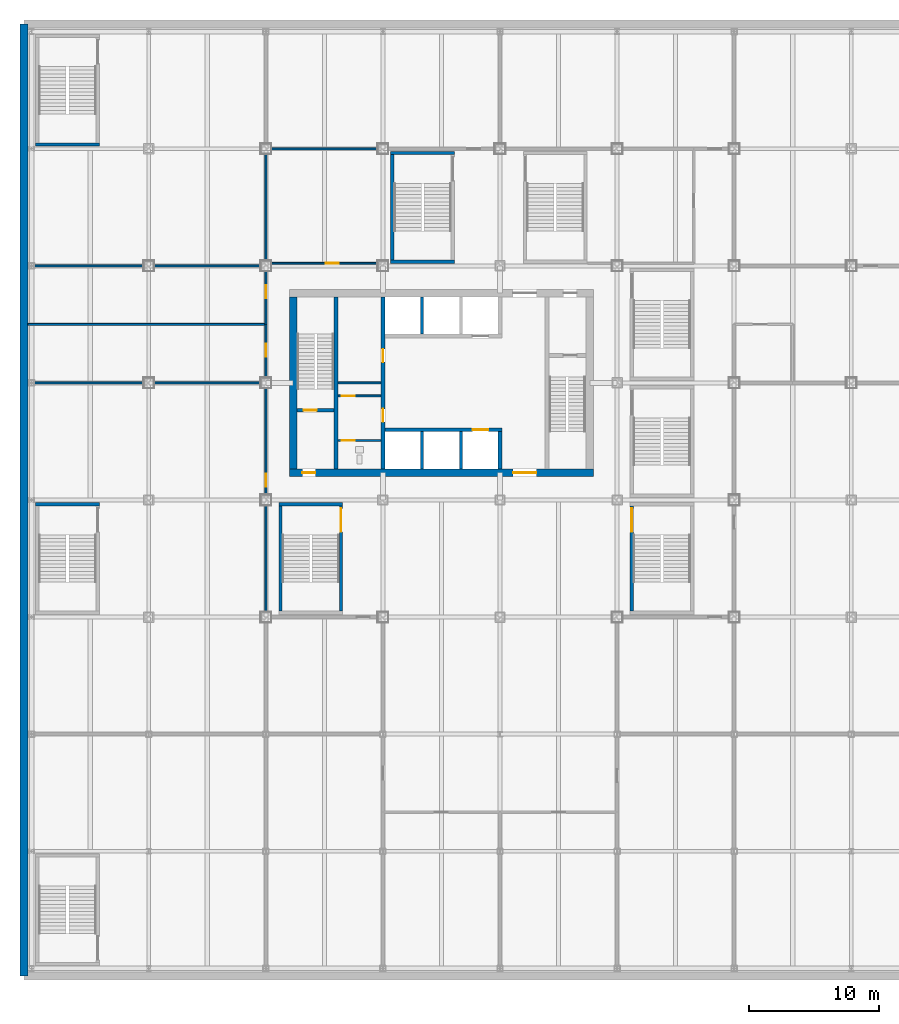
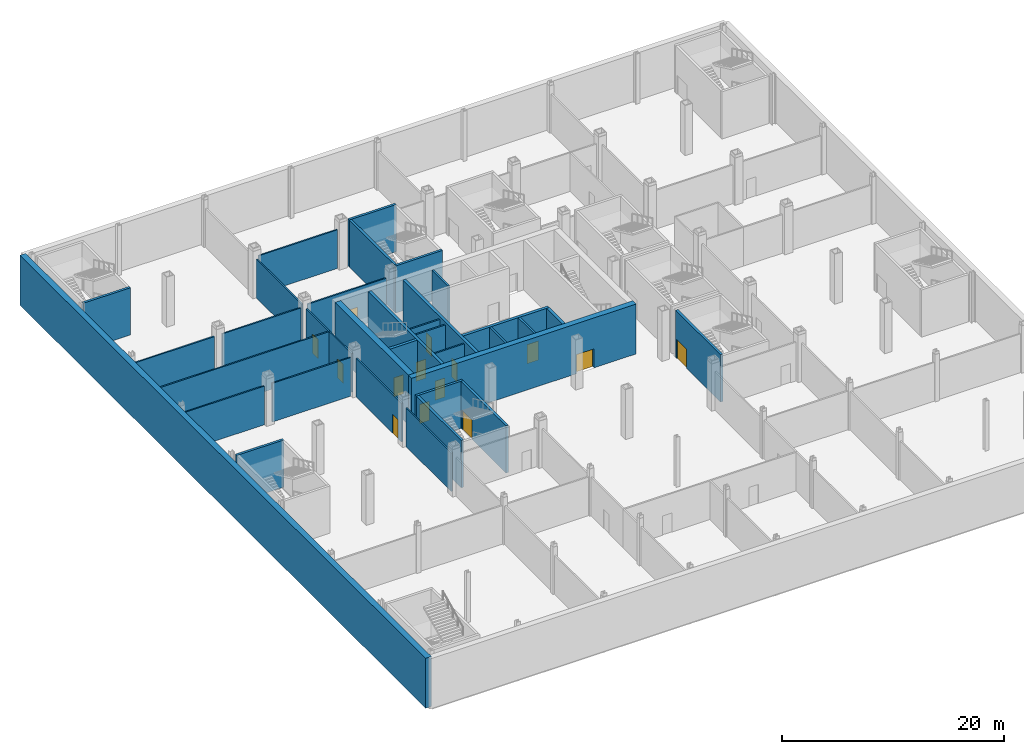
# One storey, part 9 of 27: 35 walls, 14 doors, 14 openings.
"""IFC4 building model written with IfcOpenShell, lengths in metres."""

from ifc_helpers import new_model, si_unit, direction, frame, frame_2d, origin, place, context, subcontext, project, spatial, rectangle, extrude, material, layer, layer_set, type_object, element, fill, save


model = new_model("IFC4")

# Units and contexts
model_context = context("Model", 3, precision=1e-05, world=origin(), true_north=direction((0.0, 1.0)))
body_context = subcontext(model_context, "Body", "Model", "MODEL_VIEW")
ifc_project = project(units=[si_unit("LENGTHUNIT", "METRE"), si_unit("AREAUNIT", "SQUARE_METRE"), si_unit("VOLUMEUNIT", "CUBIC_METRE"), si_unit("PLANEANGLEUNIT", "RADIAN"), si_unit("MASSUNIT", "GRAM", prefix="KILO")], contexts=[model_context])

# Site, building, storey
site_placement = place(None, origin())
site = spatial("IfcSite", under=ifc_project, at=site_placement, CompositionType="ELEMENT")
building_placement = place(site_placement, origin())
building = spatial("IfcBuilding", under=site, at=building_placement, Name="Loomwork Tower", CompositionType="ELEMENT")
storey_placement = place(building_placement, frame((0.0, 0.0, -5.5)))
storey = spatial("IfcBuildingStorey", under=building, at=storey_placement, Name="B1", CompositionType="ELEMENT", Elevation=-5.5)

# Walls
ifc_material_1 = material(Name="Concrete 6000 psi (41 MPa)", Category="concrete")
ifc_layer_1 = layer(ifc_material_1, 0.60009765625)
ifc_layer_set_1 = layer_set([ifc_layer_1], Name="Basement retaining wall 600")
wall_type_1 = type_object("IfcWallType", Name="Basement retaining wall 600", PredefinedType="SOLIDWALL", material=ifc_layer_set_1)
wall_1_placement = place(storey_placement, frame((-9.60009765625, 45.60009765625, -0.300048828125), z_axis=(0.0, 0.0, 1.0), x_axis=(0.0, -1.0, 0.0)))
element("IfcWall", 1, at=wall_1_placement, inside=storey, type_object=wall_type_1, Name="Basement retaining wall W", PredefinedType="SOLIDWALL", context=body_context, shape_type="SweptSolid", body=[
    extrude(rectangle(XDim=73.2001953125, YDim=0.60009765625, at=frame_2d((36.60009765625, 0.0))), origin(), (0.0, 0.0, 1.0), 5.5),
])
ifc_material_2 = material(Name="Concrete 14000 psi (97 MPa)", Category="concrete")
ifc_layer_2 = layer(ifc_material_2, 0.300048828125)
ifc_layer_set_2 = layer_set([ifc_layer_2], Name="Core shear wall 300")
wall_type_2 = type_object("IfcWallType", Name="Core shear wall 300", PredefinedType="SHEAR", material=ifc_layer_set_2)
wall_2_placement = place(storey_placement, frame((14.39990234375, 11.39990234375, 0.0), z_axis=(0.0, 0.0, 1.0), x_axis=(0.0, 1.0, 0.0)))
element("IfcWall", 2, at=wall_2_placement, inside=storey, type_object=wall_type_2, Name="Stair A east wall B1", PredefinedType="SHEAR", context=body_context, shape_type="SweptSolid", body=[
    extrude(rectangle(XDim=13.2001953125, YDim=0.300048828125, at=frame_2d((6.60009765625, 0.0))), origin(), (0.0, 0.0, 1.0), 5.5),
])

# Wall, opening, door
wall_3_placement = place(storey_placement, frame((11.39990234375, 15.89990234375, 0.0), z_axis=(0.0, 0.0, 1.0), x_axis=(1.0, 0.0, 0.0)))
wall_3 = element("IfcWall", 3, at=wall_3_placement, inside=storey, type_object=wall_type_2, Name="Stair A south wall B1", PredefinedType="SHEAR", context=body_context, shape_type="SweptSolid", body=[
    extrude(rectangle(XDim=2.85009765625, YDim=0.300048828125, at=frame_2d((1.425048828125, 0.0))), origin(), (0.0, 0.0, 1.0), 5.5),
])
opening_1_placement = place(wall_3_placement, frame((0.5, 0.0, 0.0)))
opening_1 = element("IfcOpeningElement", 4, at=opening_1_placement, cuts=wall_3, Name="Opening D4", PredefinedType="OPENING", context=body_context, shape_type="SweptSolid", body=[
    extrude(rectangle(XDim=1.0, YDim=2.10009765625, at=frame_2d((0.5, 1.050048828125))), frame((0.0, 0.159912109375, 0.0), z_axis=(0.0, -1.0, 0.0), x_axis=(1.0, 0.0, 0.0)), (0.0, 0.0, 1.0), 0.320068359375),
])
ifc_material_3 = material(Name="Hollow metal door and frame")
door_type_1 = type_object("IfcDoorType", Name="Stair door 1000", OperationType="SINGLE_SWING_RIGHT", PredefinedType="DOOR", material=ifc_material_3)
door_1_placement = place(opening_1_placement, origin())
door_1 = element("IfcDoor", 5, at=door_1_placement, inside=storey, type_object=door_type_1, Name="Stair A door", OperationType="SINGLE_SWING_LEFT", OverallHeight=2.10009765625, OverallWidth=1.0, PredefinedType="DOOR", context=body_context, shape_type="SweptSolid", body=[
    extrude(rectangle(XDim=1.0, YDim=2.10009765625, at=frame_2d((0.5, 1.050048828125))), frame((0.0, 0.02490234375, 0.0), z_axis=(0.0, -1.0, 0.0), x_axis=(1.0, 0.0, 0.0)), (0.0, 0.0, 1.0), 0.050048828125),
])
fill(opening_1, door_1)

# Wall, openings, doors
wall_4_placement = place(storey_placement, frame((18.0, 11.39990234375, 0.0), z_axis=(0.0, 0.0, 1.0), x_axis=(0.0, 1.0, 0.0)))
wall_4 = element("IfcWall", 6, at=wall_4_placement, inside=storey, type_object=wall_type_2, Name="Lobby west wall B1", PredefinedType="SHEAR", context=body_context, shape_type="SweptSolid", body=[
    extrude(rectangle(XDim=13.2001953125, YDim=0.300048828125, at=frame_2d((6.60009765625, 0.0))), origin(), (0.0, 0.0, 1.0), 5.5),
])
opening_2_placement = place(wall_4_placement, frame((3.60009765625, 0.0, 0.0)))
opening_2 = element("IfcOpeningElement", 7, at=opening_2_placement, cuts=wall_4, Name="Opening D5", PredefinedType="OPENING", context=body_context, shape_type="SweptSolid", body=[
    extrude(rectangle(XDim=1.0, YDim=2.10009765625, at=frame_2d((0.5, 1.050048828125))), frame((0.0, 0.159912109375, 0.0), z_axis=(0.0, -1.0, 0.0), x_axis=(1.0, 0.0, 0.0)), (0.0, 0.0, 1.0), 0.320068359375),
])
opening_3_placement = place(wall_4_placement, frame((8.199951171875, 0.0, 0.0)))
opening_3 = element("IfcOpeningElement", 8, at=opening_3_placement, cuts=wall_4, Name="Opening D5", PredefinedType="OPENING", context=body_context, shape_type="SweptSolid", body=[
    extrude(rectangle(XDim=1.0, YDim=2.10009765625, at=frame_2d((0.5, 1.050048828125))), frame((0.0, 0.159912109375, 0.0), z_axis=(0.0, -1.0, 0.0), x_axis=(1.0, 0.0, 0.0)), (0.0, 0.0, 1.0), 0.320068359375),
])
ifc_material_4 = material(Name="Hollow metal door and frame")
door_type_2 = type_object("IfcDoorType", Name="Service door 1000", OperationType="SINGLE_SWING_LEFT", PredefinedType="DOOR", material=ifc_material_4)
door_2_placement = place(opening_2_placement, origin())
door_2 = element("IfcDoor", 9, at=door_2_placement, inside=storey, type_object=door_type_2, Name="Back-of-house door south", OperationType="SINGLE_SWING_LEFT", OverallHeight=2.10009765625, OverallWidth=1.0, PredefinedType="DOOR", context=body_context, shape_type="SweptSolid", body=[
    extrude(rectangle(XDim=1.0, YDim=2.10009765625, at=frame_2d((0.5, 1.050048828125))), frame((0.0, 0.02490234375, 0.0), z_axis=(0.0, -1.0, 0.0), x_axis=(1.0, 0.0, 0.0)), (0.0, 0.0, 1.0), 0.050048828125),
])
fill(opening_2, door_2)
door_3_placement = place(opening_3_placement, origin())
door_3 = element("IfcDoor", 10, at=door_3_placement, inside=storey, type_object=door_type_2, Name="Back-of-house door north", OperationType="SINGLE_SWING_RIGHT", OverallHeight=2.10009765625, OverallWidth=1.0, PredefinedType="DOOR", context=body_context, shape_type="SweptSolid", body=[
    extrude(rectangle(XDim=1.0, YDim=2.10009765625, at=frame_2d((0.5, 1.050048828125))), frame((0.0, 0.02490234375, 0.0), z_axis=(0.0, -1.0, 0.0), x_axis=(1.0, 0.0, 0.0)), (0.0, 0.0, 1.0), 0.050048828125),
])
fill(opening_3, door_3)

# Wall, opening, door
wall_5_placement = place(storey_placement, frame((18.14990234375, 14.39990234375, 0.0), z_axis=(0.0, 0.0, 1.0), x_axis=(1.0, 0.0, 0.0)))
wall_5 = element("IfcWall", 11, at=wall_5_placement, inside=storey, type_object=wall_type_2, Name="Lift front wall south B1", PredefinedType="SHEAR", context=body_context, shape_type="SweptSolid", body=[
    extrude(rectangle(XDim=9.0, YDim=0.300048828125, at=frame_2d((4.5, 0.0))), origin(), (0.0, 0.0, 1.0), 5.5),
])
opening_4_placement = place(wall_5_placement, frame((6.75, 0.0, 0.0)))
opening_4 = element("IfcOpeningElement", 12, at=opening_4_placement, cuts=wall_5, Name="Opening LD2", PredefinedType="OPENING", context=body_context, shape_type="SweptSolid", body=[
    extrude(rectangle(XDim=1.199951171875, YDim=2.10009765625, at=frame_2d((0.60009765625, 1.050048828125))), frame((0.0, 0.159912109375, 0.0), z_axis=(0.0, -1.0, 0.0), x_axis=(1.0, 0.0, 0.0)), (0.0, 0.0, 1.0), 0.320068359375),
])
ifc_material_5 = material(Name="Hollow metal door and frame")
door_type_3 = type_object("IfcDoorType", Name="Lift landing door 1200", OperationType="SLIDING_TO_LEFT", PredefinedType="DOOR", material=ifc_material_5)
door_4_placement = place(opening_4_placement, origin())
door_4 = element("IfcDoor", 13, at=door_4_placement, inside=storey, type_object=door_type_3, Name="Lift landing door LF1", OperationType="SLIDING_TO_LEFT", OverallHeight=2.10009765625, OverallWidth=1.199951171875, PredefinedType="DOOR", context=body_context, shape_type="SweptSolid", body=[
    extrude(rectangle(XDim=1.199951171875, YDim=2.10009765625, at=frame_2d((0.60009765625, 1.050048828125))), frame((0.0, 0.02490234375, 0.0), z_axis=(0.0, -1.0, 0.0), x_axis=(1.0, 0.0, 0.0)), (0.0, 0.0, 1.0), 0.050048828125),
])
fill(opening_4, door_4)

# Wall
wall_6_placement = place(storey_placement, frame((27.0, 11.39990234375, 0.0), z_axis=(0.0, 0.0, 1.0), x_axis=(0.0, 1.0, 0.0)))
element("IfcWall", 14, at=wall_6_placement, inside=storey, type_object=wall_type_2, Name="Lift shaft end wall south B1", PredefinedType="SHEAR", context=body_context, shape_type="SweptSolid", body=[
    extrude(rectangle(XDim=2.85009765625, YDim=0.300048828125, at=frame_2d((1.425048828125, 0.0))), origin(), (0.0, 0.0, 1.0), 5.5),
])

# Wall, openings, doors
ifc_material_6 = material(Name="Concrete 14000 psi (97 MPa)", Category="concrete")
ifc_layer_3 = layer(ifc_material_6, 0.60009765625)
ifc_layer_set_3 = layer_set([ifc_layer_3], Name="Core shear wall 600")
wall_type_3 = type_object("IfcWallType", Name="Core shear wall 600", PredefinedType="SHEAR", material=ifc_layer_set_3)
wall_7_placement = place(storey_placement, frame((10.800048828125, 11.10009765625, 0.0), z_axis=(0.0, 0.0, 1.0), x_axis=(1.0, 0.0, 0.0)))
wall_7 = element("IfcWall", 15, at=wall_7_placement, inside=storey, type_object=wall_type_3, Name="Core wall south B1", PredefinedType="SHEAR", context=body_context, shape_type="SweptSolid", body=[
    extrude(rectangle(XDim=23.39990234375, YDim=0.60009765625, at=frame_2d((11.699951171875, 0.0))), origin(), (0.0, 0.0, 1.0), 5.5),
])
opening_5_placement = place(wall_7_placement, frame((1.0, 0.0, 0.0)))
opening_5 = element("IfcOpeningElement", 16, at=opening_5_placement, cuts=wall_7, Name="Opening D4", PredefinedType="OPENING", context=body_context, shape_type="SweptSolid", body=[
    extrude(rectangle(XDim=1.0, YDim=2.10009765625, at=frame_2d((0.5, 1.050048828125))), frame((0.0, 0.31005859375, 0.0), z_axis=(0.0, -1.0, 0.0), x_axis=(1.0, 0.0, 0.0)), (0.0, 0.0, 1.0), 0.6201171875),
])
opening_6_placement = place(wall_7_placement, frame((17.199951171875, 0.0, 0.0)))
opening_6 = element("IfcOpeningElement", 17, at=opening_6_placement, cuts=wall_7, Name="Opening D6", PredefinedType="OPENING", context=body_context, shape_type="SweptSolid", body=[
    extrude(rectangle(XDim=1.800048828125, YDim=2.10009765625, at=frame_2d((0.89990234375, 1.050048828125))), frame((0.0, 0.31005859375, 0.0), z_axis=(0.0, -1.0, 0.0), x_axis=(1.0, 0.0, 0.0)), (0.0, 0.0, 1.0), 0.6201171875),
])
ifc_material_7 = material(Name="Hollow metal door and frame")
door_type_4 = type_object("IfcDoorType", Name="Lobby passage double door 1800", OperationType="DOUBLE_DOOR_SINGLE_SWING", PredefinedType="DOOR", material=ifc_material_7)
door_5_placement = place(opening_6_placement, origin())
door_5 = element("IfcDoor", 18, at=door_5_placement, inside=storey, type_object=door_type_4, Name="Lobby passage door south", OperationType="DOUBLE_DOOR_SINGLE_SWING", OverallHeight=2.10009765625, OverallWidth=1.800048828125, PredefinedType="DOOR", context=body_context, shape_type="SweptSolid", body=[
    extrude(rectangle(XDim=1.800048828125, YDim=2.10009765625, at=frame_2d((0.89990234375, 1.050048828125))), frame((0.0, 0.02490234375, 0.0), z_axis=(0.0, -1.0, 0.0), x_axis=(1.0, 0.0, 0.0)), (0.0, 0.0, 1.0), 0.050048828125),
])
fill(opening_6, door_5)
door_6_placement = place(opening_5_placement, origin())
door_6 = element("IfcDoor", 19, at=door_6_placement, inside=storey, type_object=door_type_1, Name="Stair A vestibule door", OperationType="SINGLE_SWING_LEFT", OverallHeight=2.10009765625, OverallWidth=1.0, PredefinedType="DOOR", context=body_context, shape_type="SweptSolid", body=[
    extrude(rectangle(XDim=1.0, YDim=2.10009765625, at=frame_2d((0.5, 1.050048828125))), frame((0.0, 0.02490234375, 0.0), z_axis=(0.0, -1.0, 0.0), x_axis=(1.0, 0.0, 0.0)), (0.0, 0.0, 1.0), 0.050048828125),
])
fill(opening_5, door_6)

# Walls
wall_8_placement = place(storey_placement, frame((11.10009765625, 11.39990234375, 0.0), z_axis=(0.0, 0.0, 1.0), x_axis=(0.0, 1.0, 0.0)))
element("IfcWall", 20, at=wall_8_placement, inside=storey, type_object=wall_type_3, Name="Core wall west B1", PredefinedType="SHEAR", context=body_context, shape_type="SweptSolid", body=[
    extrude(rectangle(XDim=13.2001953125, YDim=0.60009765625, at=frame_2d((6.60009765625, 0.0))), origin(), (0.0, 0.0, 1.0), 5.5),
])
ifc_material_8 = material(Name="Concrete 14000 psi (97 MPa)", Category="concrete")
ifc_layer_4 = layer(ifc_material_8, 0.199951171875)
ifc_layer_set_4 = layer_set([ifc_layer_4], Name="Lift shaft wall 200")
wall_type_4 = type_object("IfcWallType", Name="Lift shaft wall 200", PredefinedType="SHEAR", material=ifc_layer_set_4)
for number, where, z_axis, x_axis, name in (
    (21, (21.0, 11.39990234375, 0.0), (0.0, 0.0, 1.0), (0.0, 1.0, 0.0), "Lift shaft separation wall south 1 B1"),
    (22, (24.0, 11.39990234375, 0.0), (0.0, 0.0, 1.0), (0.0, 1.0, 0.0), "Lift shaft separation wall south 2 B1"),
    (23, (21.0, 21.75, 0.0), (0.0, 0.0, 1.0), (0.0, 1.0, 0.0), "Lift shaft separation wall north 1 B1"),
):
    element("IfcWall", number, at=place(storey_placement, frame(where, z_axis=z_axis, x_axis=x_axis)), inside=storey, type_object=wall_type_4, Name=name, PredefinedType="SHEAR", context=body_context, shape_type="SweptSolid", body=[
        extrude(rectangle(XDim=2.85009765625, YDim=0.199951171875, at=frame_2d((1.425048828125, 0.0))), origin(), (0.0, 0.0, 1.0), 5.5),
    ])
ifc_material_9 = material(Name="Gypsum board on steel studs, one-hour", Category="steel")
ifc_layer_5 = layer(ifc_material_9, 0.14990234375)
ifc_layer_set_5 = layer_set([ifc_layer_5], Name="Partition 150")
wall_type_5 = type_object("IfcWallType", Name="Partition 150", PredefinedType="PARTITIONING", material=ifc_layer_set_5)
wall_9_placement = place(storey_placement, frame((-8.800537109375, 18.0, 0.0), z_axis=(0.0, 0.0, 1.0), x_axis=(1.0, 0.0, 0.0)))
element("IfcWall", 24, at=wall_9_placement, inside=storey, type_object=wall_type_5, Name="Partition B1 2.1", PredefinedType="PARTITIONING", context=body_context, shape_type="SweptSolid", body=[
    extrude(rectangle(XDim=8.400634765625, YDim=0.14990234375, at=frame_2d((4.2001953125, 0.0))), origin(), (0.0, 0.0, 1.0), 4.252685546875),
])
wall_10_placement = place(storey_placement, frame((0.39990234375, 18.0, 0.0), z_axis=(0.0, 0.0, 1.0), x_axis=(1.0, 0.0, 0.0)))
element("IfcWall", 25, at=wall_10_placement, inside=storey, type_object=wall_type_5, Name="Partition B1 2.2", PredefinedType="PARTITIONING", context=body_context, shape_type="SweptSolid", body=[
    extrude(rectangle(XDim=8.2001953125, YDim=0.14990234375, at=frame_2d((4.10009765625, 0.0))), origin(), (0.0, 0.0, 1.0), 4.252685546875),
])
wall_11_placement = place(storey_placement, frame((-9.300048828125, 22.5, 0.0), z_axis=(0.0, 0.0, 1.0), x_axis=(1.0, 0.0, 0.0)))
element("IfcWall", 26, at=wall_11_placement, inside=storey, type_object=wall_type_5, Name="Partition B1 3.1", PredefinedType="PARTITIONING", context=body_context, shape_type="SweptSolid", body=[
    extrude(rectangle(XDim=18.300048828125, YDim=0.14990234375, at=frame_2d((9.14990234375, 0.0))), origin(), (0.0, 0.0, 1.0), 4.251953125),
])
wall_12_placement = place(storey_placement, frame((-8.800537109375, 27.0, 0.0), z_axis=(0.0, 0.0, 1.0), x_axis=(1.0, 0.0, 0.0)))
element("IfcWall", 27, at=wall_12_placement, inside=storey, type_object=wall_type_5, Name="Partition B1 4.1", PredefinedType="PARTITIONING", context=body_context, shape_type="SweptSolid", body=[
    extrude(rectangle(XDim=8.400634765625, YDim=0.14990234375, at=frame_2d((4.2001953125, 0.0))), origin(), (0.0, 0.0, 1.0), 4.252685546875),
])
wall_13_placement = place(storey_placement, frame((0.39990234375, 27.0, 0.0), z_axis=(0.0, 0.0, 1.0), x_axis=(1.0, 0.0, 0.0)))
element("IfcWall", 28, at=wall_13_placement, inside=storey, type_object=wall_type_5, Name="Partition B1 4.2", PredefinedType="PARTITIONING", context=body_context, shape_type="SweptSolid", body=[
    extrude(rectangle(XDim=8.2001953125, YDim=0.14990234375, at=frame_2d((4.10009765625, 0.0))), origin(), (0.0, 0.0, 1.0), 4.252685546875),
])

# Wall, opening, door
wall_14_placement = place(storey_placement, frame((9.0, 17.60009765625, 0.0), z_axis=(0.0, 0.0, 1.0), x_axis=(0.0, -1.0, 0.0)))
wall_14 = element("IfcWall", 29, at=wall_14_placement, inside=storey, type_object=wall_type_5, Name="Partition B1 9.1", PredefinedType="PARTITIONING", context=body_context, shape_type="SweptSolid", body=[
    extrude(rectangle(XDim=8.2001953125, YDim=0.14990234375, at=frame_2d((4.10009765625, 0.0))), origin(), (0.0, 0.0, 1.0), 4.252685546875),
])
opening_7_placement = place(wall_14_placement, frame((6.60009765625, 0.0, 0.0)))
opening_7 = element("IfcOpeningElement", 30, at=opening_7_placement, cuts=wall_14, Name="Opening D7", PredefinedType="OPENING", context=body_context, shape_type="SweptSolid", body=[
    extrude(rectangle(XDim=1.0, YDim=2.10009765625, at=frame_2d((0.5, 1.050048828125))), frame((0.0, 0.0849609375, 0.0), z_axis=(0.0, -1.0, 0.0), x_axis=(1.0, 0.0, 0.0)), (0.0, 0.0, 1.0), 0.169921875),
])
ifc_material_10 = material(Name="Hollow metal door and frame")
door_type_5 = type_object("IfcDoorType", Name="Room door 1000", OperationType="SINGLE_SWING_LEFT", PredefinedType="DOOR", material=ifc_material_10)
door_7_placement = place(opening_7_placement, origin())
door_7 = element("IfcDoor", 31, at=door_7_placement, inside=storey, type_object=door_type_5, Name="Retail unit B1-03 door", OperationType="SINGLE_SWING_LEFT", OverallHeight=2.10009765625, OverallWidth=1.0, PredefinedType="DOOR", context=body_context, shape_type="SweptSolid", body=[
    extrude(rectangle(XDim=1.0, YDim=2.10009765625, at=frame_2d((0.5, 1.050048828125))), frame((0.0, 0.02490234375, 0.0), z_axis=(0.0, -1.0, 0.0), x_axis=(1.0, 0.0, 0.0)), (0.0, 0.0, 1.0), 0.050048828125),
])
fill(opening_7, door_7)

# Wall
wall_15_placement = place(storey_placement, frame((9.0, 8.60009765625, 0.0), z_axis=(0.0, 0.0, 1.0), x_axis=(0.0, -1.0, 0.0)))
element("IfcWall", 32, at=wall_15_placement, inside=storey, type_object=wall_type_5, Name="Partition B1 9.2", PredefinedType="PARTITIONING", context=body_context, shape_type="SweptSolid", body=[
    extrude(rectangle(XDim=8.2001953125, YDim=0.14990234375, at=frame_2d((4.10009765625, 0.0))), origin(), (0.0, 0.0, 1.0), 4.252685546875),
])

# Wall, opening, door
wall_16_placement = place(storey_placement, frame((9.0, 22.5, 0.0), z_axis=(0.0, 0.0, 1.0), x_axis=(0.0, -1.0, 0.0)))
wall_16 = element("IfcWall", 33, at=wall_16_placement, inside=storey, type_object=wall_type_5, Name="Partition B1 10.1", PredefinedType="PARTITIONING", context=body_context, shape_type="SweptSolid", body=[
    extrude(rectangle(XDim=4.10009765625, YDim=0.14990234375, at=frame_2d((2.050048828125, 0.0))), origin(), (0.0, 0.0, 1.0), 4.252685546875),
])
opening_8_placement = place(wall_16_placement, frame((1.5, 0.0, 0.0)))
opening_8 = element("IfcOpeningElement", 34, at=opening_8_placement, cuts=wall_16, Name="Opening D8", PredefinedType="OPENING", context=body_context, shape_type="SweptSolid", body=[
    extrude(rectangle(XDim=1.0, YDim=2.10009765625, at=frame_2d((0.5, 1.050048828125))), frame((0.0, 0.0849609375, 0.0), z_axis=(0.0, -1.0, 0.0), x_axis=(1.0, 0.0, 0.0)), (0.0, 0.0, 1.0), 0.169921875),
])
ifc_material_11 = material(Name="Hollow metal door and frame")
door_type_6 = type_object("IfcDoorType", Name="WC door 1000", OperationType="SINGLE_SWING_LEFT", PredefinedType="DOOR", material=ifc_material_11)
door_8_placement = place(opening_8_placement, frame((1.0, 0.0, 0.0), z_axis=(0.0, 0.0, 1.0), x_axis=(-1.0, 0.0, 0.0)))
door_8 = element("IfcDoor", 35, at=door_8_placement, inside=storey, type_object=door_type_6, Name="Public WC men door", OperationType="SINGLE_SWING_RIGHT", OverallHeight=2.10009765625, OverallWidth=1.0, PredefinedType="DOOR", context=body_context, shape_type="SweptSolid", body=[
    extrude(rectangle(XDim=1.0, YDim=2.10009765625, at=frame_2d((0.5, 1.050048828125))), frame((0.0, 0.02490234375, 0.0), z_axis=(0.0, -1.0, 0.0), x_axis=(1.0, 0.0, 0.0)), (0.0, 0.0, 1.0), 0.050048828125),
])
fill(opening_8, door_8)

wall_17_placement = place(storey_placement, frame((9.0, 26.60009765625, 0.0), z_axis=(0.0, 0.0, 1.0), x_axis=(0.0, -1.0, 0.0)))
wall_17 = element("IfcWall", 36, at=wall_17_placement, inside=storey, type_object=wall_type_5, Name="Partition B1 11.1", PredefinedType="PARTITIONING", context=body_context, shape_type="SweptSolid", body=[
    extrude(rectangle(XDim=4.10009765625, YDim=0.14990234375, at=frame_2d((2.050048828125, 0.0))), origin(), (0.0, 0.0, 1.0), 4.252685546875),
])
opening_9_placement = place(wall_17_placement, frame((1.10009765625, 0.0, 0.0)))
opening_9 = element("IfcOpeningElement", 37, at=opening_9_placement, cuts=wall_17, Name="Opening D8", PredefinedType="OPENING", context=body_context, shape_type="SweptSolid", body=[
    extrude(rectangle(XDim=1.0, YDim=2.10009765625, at=frame_2d((0.5, 1.050048828125))), frame((0.0, 0.0849609375, 0.0), z_axis=(0.0, -1.0, 0.0), x_axis=(1.0, 0.0, 0.0)), (0.0, 0.0, 1.0), 0.169921875),
])
door_9_placement = place(opening_9_placement, frame((1.0, 0.0, 0.0), z_axis=(0.0, 0.0, 1.0), x_axis=(-1.0, 0.0, 0.0)))
door_9 = element("IfcDoor", 38, at=door_9_placement, inside=storey, type_object=door_type_6, Name="Public WC women door", OperationType="SINGLE_SWING_RIGHT", OverallHeight=2.10009765625, OverallWidth=1.0, PredefinedType="DOOR", context=body_context, shape_type="SweptSolid", body=[
    extrude(rectangle(XDim=1.0, YDim=2.10009765625, at=frame_2d((0.5, 1.050048828125))), frame((0.0, 0.02490234375, 0.0), z_axis=(0.0, -1.0, 0.0), x_axis=(1.0, 0.0, 0.0)), (0.0, 0.0, 1.0), 0.050048828125),
])
fill(opening_9, door_9)

wall_18_placement = place(storey_placement, frame((17.60009765625, 27.199951171875, 0.0), z_axis=(0.0, 0.0, 1.0), x_axis=(-1.0, 0.0, 0.0)))
wall_18 = element("IfcWall", 39, at=wall_18_placement, inside=storey, type_object=wall_type_5, Name="Partition B1 12.1", PredefinedType="PARTITIONING", context=body_context, shape_type="SweptSolid", body=[
    extrude(rectangle(XDim=8.2001953125, YDim=0.14990234375, at=frame_2d((4.10009765625, 0.0))), origin(), (0.0, 0.0, 1.0), 4.252685546875),
])
opening_10_placement = place(wall_18_placement, frame((3.0, 0.0, 0.0)))
opening_10 = element("IfcOpeningElement", 40, at=opening_10_placement, cuts=wall_18, Name="Opening D7", PredefinedType="OPENING", context=body_context, shape_type="SweptSolid", body=[
    extrude(rectangle(XDim=1.0, YDim=2.10009765625, at=frame_2d((0.5, 1.050048828125))), frame((0.0, 0.0849609375, 0.0), z_axis=(0.0, -1.0, 0.0), x_axis=(1.0, 0.0, 0.0)), (0.0, 0.0, 1.0), 0.169921875),
])
door_10_placement = place(opening_10_placement, frame((1.0, 0.0, 0.0), z_axis=(0.0, 0.0, 1.0), x_axis=(-1.0, 0.0, 0.0)))
door_10 = element("IfcDoor", 41, at=door_10_placement, inside=storey, type_object=door_type_5, Name="Retail unit B1-11 door", OperationType="SINGLE_SWING_RIGHT", OverallHeight=2.10009765625, OverallWidth=1.0, PredefinedType="DOOR", context=body_context, shape_type="SweptSolid", body=[
    extrude(rectangle(XDim=1.0, YDim=2.10009765625, at=frame_2d((0.5, 1.050048828125))), frame((0.0, 0.02490234375, 0.0), z_axis=(0.0, -1.0, 0.0), x_axis=(1.0, 0.0, 0.0)), (0.0, 0.0, 1.0), 0.050048828125),
])
fill(opening_10, door_10)

# Walls
for number, where, z_axis, x_axis, name in (
    (42, (9.0, 27.39990234375, 0.0), (0.0, 0.0, 1.0), (0.0, 1.0, 0.0), "Partition B1 13.1"),
    (43, (17.60009765625, 36.0, 0.0), (0.0, 0.0, 1.0), (-1.0, 0.0, 0.0), "Partition B1 14.2"),
):
    element("IfcWall", number, at=place(storey_placement, frame(where, z_axis=z_axis, x_axis=x_axis)), inside=storey, type_object=wall_type_5, Name=name, PredefinedType="PARTITIONING", context=body_context, shape_type="SweptSolid", body=[
        extrude(rectangle(XDim=8.2001953125, YDim=0.14990234375, at=frame_2d((4.10009765625, 0.0))), origin(), (0.0, 0.0, 1.0), 4.252685546875),
    ])
ifc_material_12 = material(Name="Gypsum board on steel studs", Category="steel")
ifc_layer_6 = layer(ifc_material_12, 0.14990234375)
ifc_layer_set_6 = layer_set([ifc_layer_6], Name="Partition 150 two-hour")
wall_type_6 = type_object("IfcWallType", Name="Partition 150 two-hour", PredefinedType="PARTITIONING", material=ifc_layer_set_6)
wall_19_placement = place(storey_placement, frame((14.550048828125, 18.0, 0.0), z_axis=(0.0, 0.0, 1.0), x_axis=(1.0, 0.0, 0.0)))
element("IfcWall", 44, at=wall_19_placement, inside=storey, type_object=wall_type_6, Name="Back-of-house dividing wall B1", PredefinedType="PARTITIONING", context=body_context, shape_type="SweptSolid", body=[
    extrude(rectangle(XDim=3.300048828125, YDim=0.14990234375, at=frame_2d((1.64990234375, 0.0))), origin(), (0.0, 0.0, 1.0), 5.199951171875),
])

# Wall, opening, door
ifc_material_13 = material(Name="Gypsum board on steel studs, one-hour", Category="steel")
ifc_layer_7 = layer(ifc_material_13, 0.14990234375)
ifc_layer_set_7 = layer_set([ifc_layer_7], Name="Service partition 150")
wall_type_7 = type_object("IfcWallType", Name="Service partition 150", PredefinedType="PARTITIONING", material=ifc_layer_set_7)
wall_20_placement = place(storey_placement, frame((14.550048828125, 17.0, 0.0), z_axis=(0.0, 0.0, 1.0), x_axis=(1.0, 0.0, 0.0)))
wall_20 = element("IfcWall", 45, at=wall_20_placement, inside=storey, type_object=wall_type_7, Name="Riser enclosure B1", PredefinedType="PARTITIONING", context=body_context, shape_type="SweptSolid", body=[
    extrude(rectangle(XDim=3.300048828125, YDim=0.14990234375, at=frame_2d((1.64990234375, 0.0))), origin(), (0.0, 0.0, 1.0), 5.199951171875),
])
opening_11_placement = place(wall_20_placement, frame((0.300048828125, 0.0, 0.0)))
opening_11 = element("IfcOpeningElement", 46, at=opening_11_placement, cuts=wall_20, Name="Opening D18", PredefinedType="OPENING", context=body_context, shape_type="SweptSolid", body=[
    extrude(rectangle(XDim=1.0, YDim=2.10009765625, at=frame_2d((0.5, 1.050048828125))), frame((0.0, 0.0849609375, 0.0), z_axis=(0.0, -1.0, 0.0), x_axis=(1.0, 0.0, 0.0)), (0.0, 0.0, 1.0), 0.169921875),
])
ifc_material_14 = material(Name="Hollow metal door and frame")
door_type_7 = type_object("IfcDoorType", Name="Ninety-minute service door 1000", OperationType="SINGLE_SWING_LEFT", PredefinedType="DOOR", material=ifc_material_14)
door_11_placement = place(opening_11_placement, frame((1.0, 0.0, 0.0), z_axis=(0.0, 0.0, 1.0), x_axis=(-1.0, 0.0, 0.0)))
door_11 = element("IfcDoor", 47, at=door_11_placement, inside=storey, type_object=door_type_7, Name="Riser access door", OperationType="SINGLE_SWING_RIGHT", OverallHeight=2.10009765625, OverallWidth=1.0, PredefinedType="DOOR", context=body_context, shape_type="SweptSolid", body=[
    extrude(rectangle(XDim=1.0, YDim=2.10009765625, at=frame_2d((0.5, 1.050048828125))), frame((0.0, 0.02490234375, 0.0), z_axis=(0.0, -1.0, 0.0), x_axis=(1.0, 0.0, 0.0)), (0.0, 0.0, 1.0), 0.050048828125),
])
fill(opening_11, door_11)

wall_21_placement = place(storey_placement, frame((14.550048828125, 13.574951171875, 0.0), z_axis=(0.0, 0.0, 1.0), x_axis=(1.0, 0.0, 0.0)))
wall_21 = element("IfcWall", 48, at=wall_21_placement, inside=storey, type_object=wall_type_7, Name="Back-of-house partition B1", PredefinedType="PARTITIONING", context=body_context, shape_type="SweptSolid", body=[
    extrude(rectangle(XDim=3.300048828125, YDim=0.14990234375, at=frame_2d((1.64990234375, 0.0))), origin(), (0.0, 0.0, 1.0), 5.199951171875),
])
opening_12_placement = place(wall_21_placement, frame((0.300048828125, 0.0, 0.0)))
opening_12 = element("IfcOpeningElement", 49, at=opening_12_placement, cuts=wall_21, Name="Opening D5", PredefinedType="OPENING", context=body_context, shape_type="SweptSolid", body=[
    extrude(rectangle(XDim=1.0, YDim=2.10009765625, at=frame_2d((0.5, 1.050048828125))), frame((0.0, 0.0849609375, 0.0), z_axis=(0.0, -1.0, 0.0), x_axis=(1.0, 0.0, 0.0)), (0.0, 0.0, 1.0), 0.169921875),
])
door_12_placement = place(opening_12_placement, frame((1.0, 0.0, 0.0), z_axis=(0.0, 0.0, 1.0), x_axis=(-1.0, 0.0, 0.0)))
door_12 = element("IfcDoor", 50, at=door_12_placement, inside=storey, type_object=door_type_2, Name="Back-of-house room door", OperationType="SINGLE_SWING_RIGHT", OverallHeight=2.10009765625, OverallWidth=1.0, PredefinedType="DOOR", context=body_context, shape_type="SweptSolid", body=[
    extrude(rectangle(XDim=1.0, YDim=2.10009765625, at=frame_2d((0.5, 1.050048828125))), frame((0.0, 0.02490234375, 0.0), z_axis=(0.0, -1.0, 0.0), x_axis=(1.0, 0.0, 0.0)), (0.0, 0.0, 1.0), 0.050048828125),
])
fill(opening_12, door_12)

# Walls
ifc_material_15 = material(Name="Concrete masonry, two-hour", Category="masonry")
ifc_layer_8 = layer(ifc_material_15, 0.25)
ifc_layer_set_8 = layer_set([ifc_layer_8], Name="Stair enclosure wall 250")
wall_type_8 = type_object("IfcWallType", Name="Stair enclosure wall 250", PredefinedType="SOLIDWALL", material=ifc_layer_set_8)
for number, where, z_axis, x_axis, name in (
    (51, (-8.699951171875, 36.324951171875, 0.0), (0.0, 0.0, 1.0), (1.0, 0.0, 0.0), "Stair PS3 enclosure wall S B1"),
    (52, (-8.699951171875, 8.675048828125, 0.0), (0.0, 0.0, 1.0), (1.0, 0.0, 0.0), "Stair PS5 enclosure wall N B1"),
):
    element("IfcWall", number, at=place(storey_placement, frame(where, z_axis=z_axis, x_axis=x_axis)), inside=storey, type_object=wall_type_8, Name=name, PredefinedType="SOLIDWALL", context=body_context, shape_type="SweptSolid", body=[
        extrude(rectangle(XDim=4.89990234375, YDim=0.25, at=frame_2d((2.449951171875, 0.0))), origin(), (0.0, 0.0, 1.0), 5.199951171875),
    ])

# Wall, opening, door
wall_22_placement = place(storey_placement, frame((37.125, 0.449951171875, 0.0), z_axis=(0.0, 0.0, 1.0), x_axis=(0.0, 1.0, 0.0)))
wall_22 = element("IfcWall", 53, at=wall_22_placement, inside=storey, type_object=wall_type_8, Name="Stair PS7 enclosure wall W B1", PredefinedType="SOLIDWALL", context=body_context, shape_type="SweptSolid", body=[
    extrude(rectangle(XDim=8.10009765625, YDim=0.25, at=frame_2d((4.050048828125, 0.0))), origin(), (0.0, 0.0, 1.0), 5.199951171875),
])
opening_13_placement = place(wall_22_placement, frame((6.10009765625, 0.0, 0.0)))
opening_13 = element("IfcOpeningElement", 54, at=opening_13_placement, cuts=wall_22, Name="Opening D14", PredefinedType="OPENING", context=body_context, shape_type="SweptSolid", body=[
    extrude(rectangle(XDim=1.800048828125, YDim=2.10009765625, at=frame_2d((0.89990234375, 1.050048828125))), frame((0.0, 0.135009765625, 0.0), z_axis=(0.0, -1.0, 0.0), x_axis=(1.0, 0.0, 0.0)), (0.0, 0.0, 1.0), 0.27001953125),
])
ifc_material_16 = material(Name="Hollow metal door and frame")
door_type_8 = type_object("IfcDoorType", Name="Stair double door 1800", OperationType="DOUBLE_DOOR_SINGLE_SWING", PredefinedType="DOOR", material=ifc_material_16)
door_13_placement = place(opening_13_placement, frame((1.800048828125, 0.0, 0.0), z_axis=(0.0, 0.0, 1.0), x_axis=(-1.0, 0.0, 0.0)))
door_13 = element("IfcDoor", 55, at=door_13_placement, inside=storey, type_object=door_type_8, Name="Stair PS7 door B1", OperationType="DOUBLE_DOOR_SINGLE_SWING", OverallHeight=2.10009765625, OverallWidth=1.800048828125, PredefinedType="DOOR", context=body_context, shape_type="SweptSolid", body=[
    extrude(rectangle(XDim=1.800048828125, YDim=2.10009765625, at=frame_2d((0.89990234375, 1.050048828125))), frame((0.0, 0.02490234375, 0.0), z_axis=(0.0, -1.0, 0.0), x_axis=(1.0, 0.0, 0.0)), (0.0, 0.0, 1.0), 0.050048828125),
])
fill(opening_13, door_13)

# Walls
for number, where, z_axis, x_axis, name in (
    (56, (18.60009765625, 27.324951171875, 0.0), (0.0, 0.0, 1.0), (1.0, 0.0, 0.0), "Stair PS10 enclosure wall S B1"),
    (57, (18.60009765625, 35.675048828125, 0.0), (0.0, 0.0, 1.0), (1.0, 0.0, 0.0), "Stair PS10 enclosure wall N B1"),
):
    element("IfcWall", number, at=place(storey_placement, frame(where, z_axis=z_axis, x_axis=x_axis)), inside=storey, type_object=wall_type_8, Name=name, PredefinedType="SOLIDWALL", context=body_context, shape_type="SweptSolid", body=[
        extrude(rectangle(XDim=4.89990234375, YDim=0.25, at=frame_2d((2.449951171875, 0.0))), origin(), (0.0, 0.0, 1.0), 5.199951171875),
    ])
wall_23_placement = place(storey_placement, frame((18.72509765625, 27.449951171875, 0.0), z_axis=(0.0, 0.0, 1.0), x_axis=(0.0, 1.0, 0.0)))
element("IfcWall", 58, at=wall_23_placement, inside=storey, type_object=wall_type_8, Name="Stair PS10 enclosure wall W B1", PredefinedType="SOLIDWALL", context=body_context, shape_type="SweptSolid", body=[
    extrude(rectangle(XDim=8.10009765625, YDim=0.25, at=frame_2d((4.050048828125, 0.0))), origin(), (0.0, 0.0, 1.0), 5.199951171875),
])
wall_24_placement = place(storey_placement, frame((10.0, 8.675048828125, 0.0), z_axis=(0.0, 0.0, 1.0), x_axis=(1.0, 0.0, 0.0)))
element("IfcWall", 59, at=wall_24_placement, inside=storey, type_object=wall_type_8, Name="Stair PS12 enclosure wall N B1", PredefinedType="SOLIDWALL", context=body_context, shape_type="SweptSolid", body=[
    extrude(rectangle(XDim=4.89990234375, YDim=0.25, at=frame_2d((2.449951171875, 0.0))), origin(), (0.0, 0.0, 1.0), 5.199951171875),
])
wall_25_placement = place(storey_placement, frame((10.125, 0.449951171875, 0.0), z_axis=(0.0, 0.0, 1.0), x_axis=(0.0, 1.0, 0.0)))
element("IfcWall", 60, at=wall_25_placement, inside=storey, type_object=wall_type_8, Name="Stair PS12 enclosure wall W B1", PredefinedType="SOLIDWALL", context=body_context, shape_type="SweptSolid", body=[
    extrude(rectangle(XDim=8.10009765625, YDim=0.25, at=frame_2d((4.050048828125, 0.0))), origin(), (0.0, 0.0, 1.0), 5.199951171875),
])

# Wall, opening, door
wall_26_placement = place(storey_placement, frame((14.77490234375, 0.449951171875, 0.0), z_axis=(0.0, 0.0, 1.0), x_axis=(0.0, 1.0, 0.0)))
wall_26 = element("IfcWall", 61, at=wall_26_placement, inside=storey, type_object=wall_type_8, Name="Stair PS12 enclosure wall E B1", PredefinedType="SOLIDWALL", context=body_context, shape_type="SweptSolid", body=[
    extrude(rectangle(XDim=8.10009765625, YDim=0.25, at=frame_2d((4.050048828125, 0.0))), origin(), (0.0, 0.0, 1.0), 5.199951171875),
])
opening_14_placement = place(wall_26_placement, frame((6.10009765625, 0.0, 0.0)))
opening_14 = element("IfcOpeningElement", 62, at=opening_14_placement, cuts=wall_26, Name="Opening D14", PredefinedType="OPENING", context=body_context, shape_type="SweptSolid", body=[
    extrude(rectangle(XDim=1.800048828125, YDim=2.10009765625, at=frame_2d((0.89990234375, 1.050048828125))), frame((0.0, 0.135009765625, 0.0), z_axis=(0.0, -1.0, 0.0), x_axis=(1.0, 0.0, 0.0)), (0.0, 0.0, 1.0), 0.27001953125),
])
door_14_placement = place(opening_14_placement, origin())
door_14 = element("IfcDoor", 63, at=door_14_placement, inside=storey, type_object=door_type_8, Name="Stair PS12 door B1", OperationType="DOUBLE_DOOR_SINGLE_SWING", OverallHeight=2.10009765625, OverallWidth=1.800048828125, PredefinedType="DOOR", context=body_context, shape_type="SweptSolid", body=[
    extrude(rectangle(XDim=1.800048828125, YDim=2.10009765625, at=frame_2d((0.89990234375, 1.050048828125))), frame((0.0, 0.02490234375, 0.0), z_axis=(0.0, -1.0, 0.0), x_axis=(1.0, 0.0, 0.0)), (0.0, 0.0, 1.0), 0.050048828125),
])
fill(opening_14, door_14)

save(model, "model.ifc")
